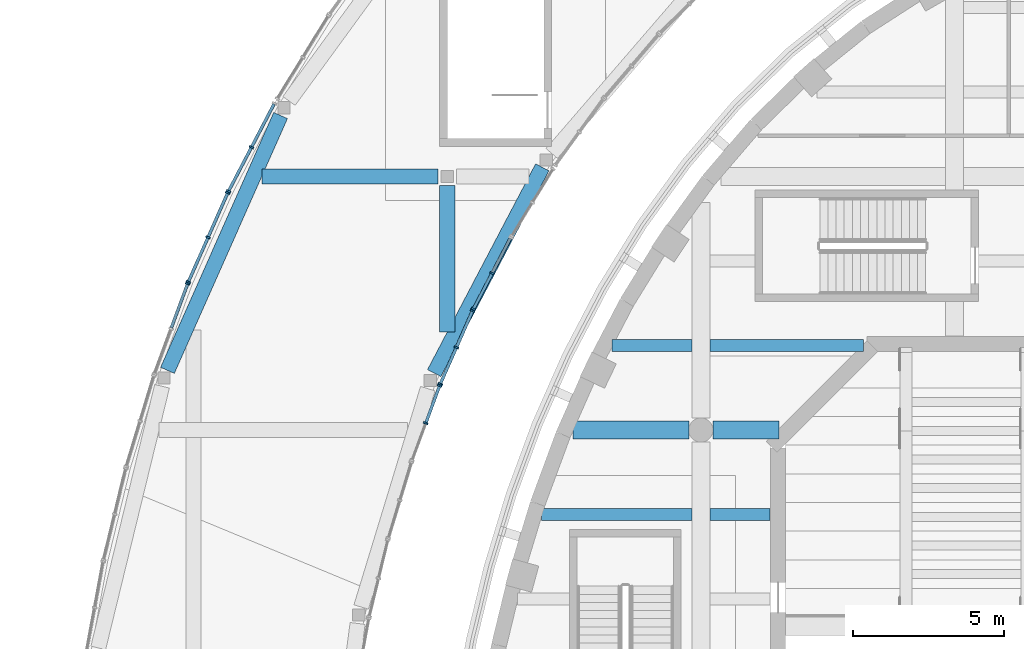
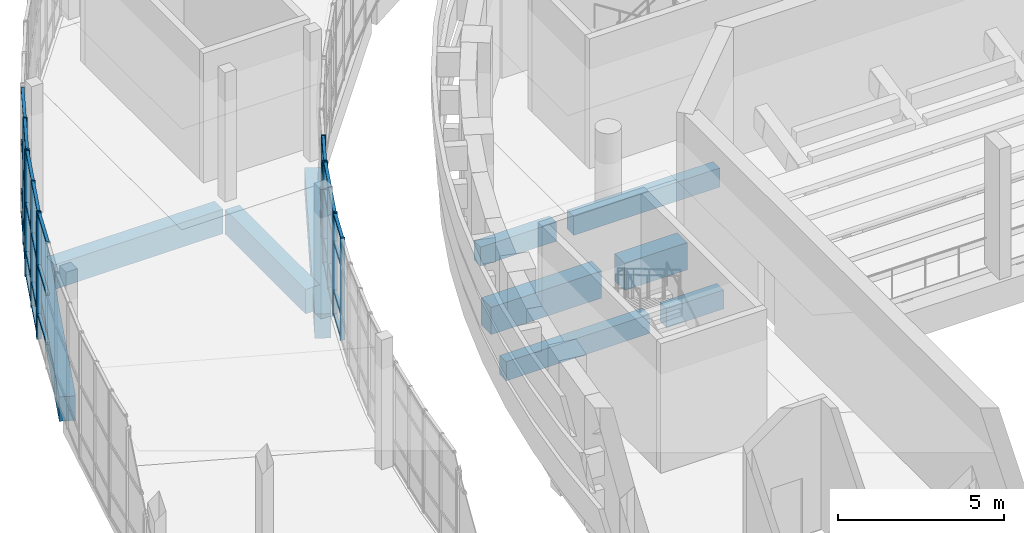
# One storey, part 17 of 103: 50 members, 10 beams, 6 elements without a shape of their own.
"""IFC4 building model written with IfcOpenShell, lengths in metres."""

from ifc_helpers import new_model, si_unit, direction, frame, origin, origin_2d, place, context, subcontext, project, spatial, rectangle, extrude, material, layer, layer_set, material_profile, profile_set, type_object, element, aggregate, save


model = new_model("IFC4")

# Units and contexts
model_context = context("Model", 3, precision=1e-05, world=origin(), true_north=direction((0.0, 1.0)))
body_context = subcontext(model_context, "Body", "Model", "MODEL_VIEW")
ifc_project = project(units=[si_unit("LENGTHUNIT", "METRE"), si_unit("AREAUNIT", "SQUARE_METRE"), si_unit("VOLUMEUNIT", "CUBIC_METRE"), si_unit("PLANEANGLEUNIT", "RADIAN"), si_unit("MASSUNIT", "GRAM", prefix="KILO")], contexts=[model_context])

# Site, building, storey
site_placement = place(None, origin())
site = spatial("IfcSite", under=ifc_project, at=site_placement, CompositionType="ELEMENT")
building_placement = place(site_placement, origin())
building = spatial("IfcBuilding", under=site, at=building_placement, Name="Larchfold Concert Hall", CompositionType="ELEMENT")
storey_placement = place(building_placement, frame((0.0, 0.0, 9.60009765625)))
storey = spatial("IfcBuildingStorey", under=building, at=storey_placement, Name="L02", CompositionType="ELEMENT", Elevation=9.60009765625)

# Curtain wall, members
ifc_material_1 = material(Name="Anodised graphite aluminium curtain wall", Category="aluminium")
ifc_layer = layer(ifc_material_1, 0.14990234375)
ifc_layer_set = layer_set([ifc_layer], Name="Anodised graphite aluminium curtain wall")
curtain_wall_type = type_object("IfcCurtainWallType", Name="Curtain wall WG", PredefinedType="NOTDEFINED", material=ifc_layer_set)
curtain_wall_1_placement = place(storey_placement, origin())
curtain_wall_1 = element("IfcCurtainWall", 1, at=curtain_wall_1_placement, inside=storey, type_object=curtain_wall_type, Name="Curtain wall CW0230", PredefinedType="NOTDEFINED")
ifc_material_2 = material(Name="Anodised graphite aluminium mullion", Category="aluminium")
ifc_material_profile_1 = material_profile(ifc_material_2, rectangle(XDim=0.14990234375, YDim=0.06005859375, at=origin_2d()))
ifc_profile_set_1 = profile_set([ifc_material_profile_1], Name="Anodised graphite aluminium mullion")
member_type_1 = type_object("IfcMemberType", Name="Aluminium mullion 60x150", PredefinedType="MULLION", material=ifc_profile_set_1)
member_1_placement = place(storey_placement, frame((16.688232421875, 101.629638671875, 0.0), z_axis=(0.0, 0.0, 1.0), x_axis=(-0.938001528432, 0.346631119, 0.0)))
member_1 = element("IfcMember", 2, at=member_1_placement, type_object=member_type_1, Name="CW0230 mullion 2", PredefinedType="MULLION", context=body_context, shape_type="SweptSolid", body=[
    extrude(rectangle(XDim=0.14990234375, YDim=0.06005859375, at=origin_2d()), origin(), (0.0, 0.0, 1.0), 3.75),
])
member_2_placement = place(storey_placement, frame((17.145751953125, 102.8681640625, 0.0), z_axis=(0.0, 0.0, 1.0), x_axis=(-0.938001528432, 0.346631119, 0.0)))
member_2 = element("IfcMember", 3, at=member_2_placement, type_object=member_type_1, Name="CW0230 mullion 3", PredefinedType="MULLION", context=body_context, shape_type="SweptSolid", body=[
    extrude(rectangle(XDim=0.14990234375, YDim=0.06005859375, at=origin_2d()), origin(), (0.0, 0.0, 1.0), 3.75),
])

curtain_wall_2_placement = place(storey_placement, origin())
curtain_wall_2 = element("IfcCurtainWall", 4, at=curtain_wall_2_placement, inside=storey, type_object=curtain_wall_type, Name="Curtain wall CW0231", PredefinedType="NOTDEFINED")
member_3_placement = place(storey_placement, frame((17.16845703125, 102.923583984375, 0.0), z_axis=(0.0, 0.0, 1.0), x_axis=(-0.914743818029, 0.404034339354, 0.0)))
member_3 = element("IfcMember", 5, at=member_3_placement, type_object=member_type_1, Name="CW0231 mullion 1", PredefinedType="MULLION", context=body_context, shape_type="SweptSolid", body=[
    extrude(rectangle(XDim=0.14990234375, YDim=0.06005859375, at=origin_2d()), origin(), (0.0, 0.0, 1.0), 3.75),
])
member_4_placement = place(storey_placement, frame((17.70458984375, 104.1376953125, 0.0), z_axis=(0.0, 0.0, 1.0), x_axis=(-0.914743818029, 0.404034339354, 0.0)))
member_4 = element("IfcMember", 6, at=member_4_placement, type_object=member_type_1, Name="CW0231 mullion 2", PredefinedType="MULLION", context=body_context, shape_type="SweptSolid", body=[
    extrude(rectangle(XDim=0.14990234375, YDim=0.06005859375, at=origin_2d()), origin(), (0.0, 0.0, 1.0), 3.75),
])
member_5_placement = place(storey_placement, frame((18.24072265625, 105.351806640625, 0.0), z_axis=(0.0, 0.0, 1.0), x_axis=(-0.914743818029, 0.404034339354, 0.0)))
member_5 = element("IfcMember", 7, at=member_5_placement, type_object=member_type_1, Name="CW0231 mullion 3", PredefinedType="MULLION", context=body_context, shape_type="SweptSolid", body=[
    extrude(rectangle(XDim=0.14990234375, YDim=0.06005859375, at=origin_2d()), origin(), (0.0, 0.0, 1.0), 3.75),
])

curtain_wall_3_placement = place(storey_placement, origin())
curtain_wall_3 = element("IfcCurtainWall", 8, at=curtain_wall_3_placement, inside=storey, type_object=curtain_wall_type, Name="Curtain wall CW0232", PredefinedType="NOTDEFINED")
member_6_placement = place(storey_placement, frame((18.266845703125, 105.40576171875, 0.0), z_axis=(0.0, 0.0, 1.0), x_axis=(-0.886259622766, 0.46318881793, 0.0)))
member_6 = element("IfcMember", 9, at=member_6_placement, type_object=member_type_1, Name="CW0232 mullion 1", PredefinedType="MULLION", context=body_context, shape_type="SweptSolid", body=[
    extrude(rectangle(XDim=0.14990234375, YDim=0.06005859375, at=origin_2d()), origin(), (0.0, 0.0, 1.0), 3.75),
])
member_7_placement = place(storey_placement, frame((18.8857421875, 106.58984375, 0.0), z_axis=(0.0, 0.0, 1.0), x_axis=(-0.886259622766, 0.46318881793, 0.0)))
member_7 = element("IfcMember", 10, at=member_7_placement, type_object=member_type_1, Name="CW0232 mullion 2", PredefinedType="MULLION", context=body_context, shape_type="SweptSolid", body=[
    extrude(rectangle(XDim=0.14990234375, YDim=0.06005859375, at=origin_2d()), origin(), (0.0, 0.0, 1.0), 3.75),
])

curtain_wall_4_placement = place(storey_placement, origin())
curtain_wall_4 = element("IfcCurtainWall", 11, at=curtain_wall_4_placement, inside=storey, type_object=curtain_wall_type, Name="Curtain wall CW0265", PredefinedType="NOTDEFINED")
member_8_placement = place(storey_placement, frame((10.9140625, 110.767578125, 0.0), z_axis=(0.0, 0.0, 1.0), x_axis=(0.886295614113, -0.463119946023, 0.0)))
member_8 = element("IfcMember", 12, at=member_8_placement, type_object=member_type_1, Name="CW0265 mullion 2", PredefinedType="MULLION", context=body_context, shape_type="SweptSolid", body=[
    extrude(rectangle(XDim=0.14990234375, YDim=0.06005859375, at=origin_2d()), origin(), (0.0, 0.0, 1.0), 4.64990234375),
])
member_9_placement = place(storey_placement, frame((10.15380859375, 109.3125, 0.0), z_axis=(0.0, 0.0, 1.0), x_axis=(0.886295614113, -0.463119946023, 0.0)))
member_9 = element("IfcMember", 13, at=member_9_placement, type_object=member_type_1, Name="CW0265 mullion 3", PredefinedType="MULLION", context=body_context, shape_type="SweptSolid", body=[
    extrude(rectangle(XDim=0.14990234375, YDim=0.06005859375, at=origin_2d()), origin(), (0.0, 0.0, 1.0), 4.64990234375),
])

curtain_wall_5_placement = place(storey_placement, origin())
curtain_wall_5 = element("IfcCurtainWall", 14, at=curtain_wall_5_placement, inside=storey, type_object=curtain_wall_type, Name="Curtain wall CW0266", PredefinedType="NOTDEFINED")
member_10_placement = place(storey_placement, frame((10.127685546875, 109.258544921875, 0.0), z_axis=(0.0, 0.0, 1.0), x_axis=(0.914703196701, -0.404126294549, 0.0)))
member_10 = element("IfcMember", 15, at=member_10_placement, type_object=member_type_1, Name="CW0266 mullion 1", PredefinedType="MULLION", context=body_context, shape_type="SweptSolid", body=[
    extrude(rectangle(XDim=0.14990234375, YDim=0.06005859375, at=origin_2d()), origin(), (0.0, 0.0, 1.0), 4.64990234375),
])
member_11_placement = place(storey_placement, frame((9.475341796875, 107.78173828125, 0.0), z_axis=(0.0, 0.0, 1.0), x_axis=(0.914703196701, -0.404126294549, 0.0)))
member_11 = element("IfcMember", 16, at=member_11_placement, type_object=member_type_1, Name="CW0266 mullion 2", PredefinedType="MULLION", context=body_context, shape_type="SweptSolid", body=[
    extrude(rectangle(XDim=0.14990234375, YDim=0.06005859375, at=origin_2d()), origin(), (0.0, 0.0, 1.0), 4.64990234375),
])
member_12_placement = place(storey_placement, frame((8.822998046875, 106.304931640625, 0.0), z_axis=(0.0, 0.0, 1.0), x_axis=(0.914703196701, -0.404126294549, 0.0)))
member_12 = element("IfcMember", 17, at=member_12_placement, type_object=member_type_1, Name="CW0266 mullion 3", PredefinedType="MULLION", context=body_context, shape_type="SweptSolid", body=[
    extrude(rectangle(XDim=0.14990234375, YDim=0.06005859375, at=origin_2d()), origin(), (0.0, 0.0, 1.0), 4.64990234375),
])

# Curtain wall, member
curtain_wall_6_placement = place(storey_placement, origin())
curtain_wall_6 = element("IfcCurtainWall", 18, at=curtain_wall_6_placement, inside=storey, type_object=curtain_wall_type, Name="Curtain wall CW0267", PredefinedType="NOTDEFINED")
member_13_placement = place(storey_placement, frame((8.80029296875, 106.24951171875, 0.0), z_axis=(0.0, 0.0, 1.0), x_axis=(0.938015232319, -0.346594033327, 0.0)))
member_13 = element("IfcMember", 19, at=member_13_placement, type_object=member_type_1, Name="CW0267 mullion 1", PredefinedType="MULLION", context=body_context, shape_type="SweptSolid", body=[
    extrude(rectangle(XDim=0.14990234375, YDim=0.06005859375, at=origin_2d()), origin(), (0.0, 0.0, 1.0), 4.64990234375),
])

# Member
ifc_material_3 = material(Name="Anodised graphite aluminium transom", Category="aluminium")
ifc_material_profile_2 = material_profile(ifc_material_3, rectangle(XDim=0.10009765625, YDim=0.080078125, at=origin_2d()))
ifc_profile_set_2 = profile_set([ifc_material_profile_2], Name="Anodised graphite aluminium transom")
member_type_2 = type_object("IfcMemberType", Name="Aluminium transom 80x100", PredefinedType="USERDEFINED", material=ifc_profile_set_2)
member_14_placement = place(storey_placement, frame((16.69873046875, 101.657958984375, 0.0400390625), z_axis=(0.346639022733, 0.937998607631, 0.0), x_axis=(-0.937998607631, 0.346639022733, 0.0)))
member_14 = element("IfcMember", 20, at=member_14_placement, type_object=member_type_2, Name="CW0230 transom 2.1", ObjectType="TRANSOM", PredefinedType="USERDEFINED", context=body_context, shape_type="SweptSolid", body=[
    extrude(rectangle(XDim=0.10009765625, YDim=0.080078125, at=origin_2d()), origin(), (0.0, 0.0, 1.0), 1.260009765625),
])

member_15_placement = place(storey_placement, frame((16.69873046875, 101.657958984375, 0.89990234375), z_axis=(0.346639022733, 0.937998607631, 0.0), x_axis=(-0.937998607631, 0.346639022733, 0.0)))
member_15 = element("IfcMember", 21, at=member_15_placement, type_object=member_type_2, Name="CW0230 transom 2.2", ObjectType="TRANSOM", PredefinedType="USERDEFINED", context=body_context, shape_type="SweptSolid", body=[
    extrude(rectangle(XDim=0.10009765625, YDim=0.080078125, at=origin_2d()), origin(), (0.0, 0.0, 1.0), 1.260009765625),
])

member_16_placement = place(storey_placement, frame((16.69873046875, 101.657958984375, 2.699951171875), z_axis=(0.346639022733, 0.937998607631, 0.0), x_axis=(-0.937998607631, 0.346639022733, 0.0)))
member_16 = element("IfcMember", 22, at=member_16_placement, type_object=member_type_2, Name="CW0230 transom 2.3", ObjectType="TRANSOM", PredefinedType="USERDEFINED", context=body_context, shape_type="SweptSolid", body=[
    extrude(rectangle(XDim=0.10009765625, YDim=0.080078125, at=origin_2d()), origin(), (0.0, 0.0, 1.0), 1.260009765625),
])

member_17_placement = place(storey_placement, frame((16.69873046875, 101.657958984375, 3.7099609375), z_axis=(0.346639022733, 0.937998607631, 0.0), x_axis=(-0.937998607631, 0.346639022733, 0.0)))
member_17 = element("IfcMember", 23, at=member_17_placement, type_object=member_type_2, Name="CW0230 transom 2.4", ObjectType="TRANSOM", PredefinedType="USERDEFINED", context=body_context, shape_type="SweptSolid", body=[
    extrude(rectangle(XDim=0.10009765625, YDim=0.080078125, at=origin_2d()), origin(), (0.0, 0.0, 1.0), 1.260009765625),
])

aggregate(curtain_wall_1, [member_1, member_2, member_14, member_15, member_16, member_17])

member_18_placement = place(storey_placement, frame((17.180419921875, 102.951171875, 0.0400390625), z_axis=(0.404010149688, 0.914754502011, 0.0), x_axis=(-0.914754502011, 0.404010149688, 0.0)))
member_18 = element("IfcMember", 24, at=member_18_placement, type_object=member_type_2, Name="CW0231 transom 1.1", ObjectType="TRANSOM", PredefinedType="USERDEFINED", context=body_context, shape_type="SweptSolid", body=[
    extrude(rectangle(XDim=0.10009765625, YDim=0.080078125, at=origin_2d()), origin(), (0.0, 0.0, 1.0), 1.26708984375),
])

member_19_placement = place(storey_placement, frame((17.180419921875, 102.951171875, 0.89990234375), z_axis=(0.404010149688, 0.914754502011, 0.0), x_axis=(-0.914754502011, 0.404010149688, 0.0)))
member_19 = element("IfcMember", 25, at=member_19_placement, type_object=member_type_2, Name="CW0231 transom 1.2", ObjectType="TRANSOM", PredefinedType="USERDEFINED", context=body_context, shape_type="SweptSolid", body=[
    extrude(rectangle(XDim=0.10009765625, YDim=0.080078125, at=origin_2d()), origin(), (0.0, 0.0, 1.0), 1.26708984375),
])

member_20_placement = place(storey_placement, frame((17.180419921875, 102.951171875, 2.699951171875), z_axis=(0.404010149688, 0.914754502011, 0.0), x_axis=(-0.914754502011, 0.404010149688, 0.0)))
member_20 = element("IfcMember", 26, at=member_20_placement, type_object=member_type_2, Name="CW0231 transom 1.3", ObjectType="TRANSOM", PredefinedType="USERDEFINED", context=body_context, shape_type="SweptSolid", body=[
    extrude(rectangle(XDim=0.10009765625, YDim=0.080078125, at=origin_2d()), origin(), (0.0, 0.0, 1.0), 1.26708984375),
])

member_21_placement = place(storey_placement, frame((17.180419921875, 102.951171875, 3.7099609375), z_axis=(0.404010149688, 0.914754502011, 0.0), x_axis=(-0.914754502011, 0.404010149688, 0.0)))
member_21 = element("IfcMember", 27, at=member_21_placement, type_object=member_type_2, Name="CW0231 transom 1.4", ObjectType="TRANSOM", PredefinedType="USERDEFINED", context=body_context, shape_type="SweptSolid", body=[
    extrude(rectangle(XDim=0.10009765625, YDim=0.080078125, at=origin_2d()), origin(), (0.0, 0.0, 1.0), 1.26708984375),
])

member_22_placement = place(storey_placement, frame((17.716796875, 104.1650390625, 0.0400390625), z_axis=(0.404010149688, 0.914754502011, 0.0), x_axis=(-0.914754502011, 0.404010149688, 0.0)))
member_22 = element("IfcMember", 28, at=member_22_placement, type_object=member_type_2, Name="CW0231 transom 2.1", ObjectType="TRANSOM", PredefinedType="USERDEFINED", context=body_context, shape_type="SweptSolid", body=[
    extrude(rectangle(XDim=0.10009765625, YDim=0.080078125, at=origin_2d()), origin(), (0.0, 0.0, 1.0), 1.26708984375),
])

member_23_placement = place(storey_placement, frame((17.716796875, 104.1650390625, 0.89990234375), z_axis=(0.404010149688, 0.914754502011, 0.0), x_axis=(-0.914754502011, 0.404010149688, 0.0)))
member_23 = element("IfcMember", 29, at=member_23_placement, type_object=member_type_2, Name="CW0231 transom 2.2", ObjectType="TRANSOM", PredefinedType="USERDEFINED", context=body_context, shape_type="SweptSolid", body=[
    extrude(rectangle(XDim=0.10009765625, YDim=0.080078125, at=origin_2d()), origin(), (0.0, 0.0, 1.0), 1.26708984375),
])

member_24_placement = place(storey_placement, frame((17.716796875, 104.1650390625, 2.699951171875), z_axis=(0.404010149688, 0.914754502011, 0.0), x_axis=(-0.914754502011, 0.404010149688, 0.0)))
member_24 = element("IfcMember", 30, at=member_24_placement, type_object=member_type_2, Name="CW0231 transom 2.3", ObjectType="TRANSOM", PredefinedType="USERDEFINED", context=body_context, shape_type="SweptSolid", body=[
    extrude(rectangle(XDim=0.10009765625, YDim=0.080078125, at=origin_2d()), origin(), (0.0, 0.0, 1.0), 1.26708984375),
])

member_25_placement = place(storey_placement, frame((17.716796875, 104.1650390625, 3.7099609375), z_axis=(0.404010149688, 0.914754502011, 0.0), x_axis=(-0.914754502011, 0.404010149688, 0.0)))
member_25 = element("IfcMember", 31, at=member_25_placement, type_object=member_type_2, Name="CW0231 transom 2.4", ObjectType="TRANSOM", PredefinedType="USERDEFINED", context=body_context, shape_type="SweptSolid", body=[
    extrude(rectangle(XDim=0.10009765625, YDim=0.080078125, at=origin_2d()), origin(), (0.0, 0.0, 1.0), 1.26708984375),
])

aggregate(curtain_wall_2, [member_3, member_4, member_5, member_18, member_19, member_20, member_21, member_22, member_23, member_24, member_25])

member_26_placement = place(storey_placement, frame((18.28076171875, 105.432373046875, 0.0400390625), z_axis=(0.463134691808, 0.886287908777, 0.0), x_axis=(-0.886287908777, 0.463134691808, 0.0)))
member_26 = element("IfcMember", 32, at=member_26_placement, type_object=member_type_2, Name="CW0232 transom 1.1", ObjectType="TRANSOM", PredefinedType="USERDEFINED", context=body_context, shape_type="SweptSolid", body=[
    extrude(rectangle(XDim=0.10009765625, YDim=0.080078125, at=origin_2d()), origin(), (0.0, 0.0, 1.0), 1.276123046875),
])

member_27_placement = place(storey_placement, frame((18.28076171875, 105.432373046875, 0.89990234375), z_axis=(0.463134691808, 0.886287908777, 0.0), x_axis=(-0.886287908777, 0.463134691808, 0.0)))
member_27 = element("IfcMember", 33, at=member_27_placement, type_object=member_type_2, Name="CW0232 transom 1.2", ObjectType="TRANSOM", PredefinedType="USERDEFINED", context=body_context, shape_type="SweptSolid", body=[
    extrude(rectangle(XDim=0.10009765625, YDim=0.080078125, at=origin_2d()), origin(), (0.0, 0.0, 1.0), 1.276123046875),
])

member_28_placement = place(storey_placement, frame((18.28076171875, 105.432373046875, 2.699951171875), z_axis=(0.463134691808, 0.886287908777, 0.0), x_axis=(-0.886287908777, 0.463134691808, 0.0)))
member_28 = element("IfcMember", 34, at=member_28_placement, type_object=member_type_2, Name="CW0232 transom 1.3", ObjectType="TRANSOM", PredefinedType="USERDEFINED", context=body_context, shape_type="SweptSolid", body=[
    extrude(rectangle(XDim=0.10009765625, YDim=0.080078125, at=origin_2d()), origin(), (0.0, 0.0, 1.0), 1.276123046875),
])

member_29_placement = place(storey_placement, frame((18.28076171875, 105.432373046875, 3.7099609375), z_axis=(0.463134691808, 0.886287908777, 0.0), x_axis=(-0.886287908777, 0.463134691808, 0.0)))
member_29 = element("IfcMember", 35, at=member_29_placement, type_object=member_type_2, Name="CW0232 transom 1.4", ObjectType="TRANSOM", PredefinedType="USERDEFINED", context=body_context, shape_type="SweptSolid", body=[
    extrude(rectangle(XDim=0.10009765625, YDim=0.080078125, at=origin_2d()), origin(), (0.0, 0.0, 1.0), 1.276123046875),
])

member_30_placement = place(storey_placement, frame((18.899658203125, 106.616455078125, 0.0400390625), z_axis=(0.463134691808, 0.886287908777, 0.0), x_axis=(-0.886287908777, 0.463134691808, 0.0)))
member_30 = element("IfcMember", 36, at=member_30_placement, type_object=member_type_2, Name="CW0232 transom 2.1", ObjectType="TRANSOM", PredefinedType="USERDEFINED", context=body_context, shape_type="SweptSolid", body=[
    extrude(rectangle(XDim=0.10009765625, YDim=0.080078125, at=origin_2d()), origin(), (0.0, 0.0, 1.0), 1.276123046875),
])

member_31_placement = place(storey_placement, frame((18.899658203125, 106.616455078125, 0.89990234375), z_axis=(0.463134691808, 0.886287908777, 0.0), x_axis=(-0.886287908777, 0.463134691808, 0.0)))
member_31 = element("IfcMember", 37, at=member_31_placement, type_object=member_type_2, Name="CW0232 transom 2.2", ObjectType="TRANSOM", PredefinedType="USERDEFINED", context=body_context, shape_type="SweptSolid", body=[
    extrude(rectangle(XDim=0.10009765625, YDim=0.080078125, at=origin_2d()), origin(), (0.0, 0.0, 1.0), 1.276123046875),
])

aggregate(curtain_wall_3, [member_6, member_7, member_26, member_27, member_28, member_29, member_30, member_31])

member_32_placement = place(storey_placement, frame((11.660400390625, 112.19580078125, 0.0400390625), z_axis=(-0.463072352112, -0.886320481942, 0.0), x_axis=(0.886320481942, -0.463072352112, 0.0)))
member_32 = element("IfcMember", 38, at=member_32_placement, type_object=member_type_2, Name="CW0265 transom 1.1", ObjectType="TRANSOM", PredefinedType="USERDEFINED", context=body_context, shape_type="SweptSolid", body=[
    extrude(rectangle(XDim=0.10009765625, YDim=0.080078125, at=origin_2d()), origin(), (0.0, 0.0, 1.0), 1.58154296875),
])

member_33_placement = place(storey_placement, frame((11.660400390625, 112.19580078125, 0.89990234375), z_axis=(-0.463072352112, -0.886320481942, 0.0), x_axis=(0.886320481942, -0.463072352112, 0.0)))
member_33 = element("IfcMember", 39, at=member_33_placement, type_object=member_type_2, Name="CW0265 transom 1.2", ObjectType="TRANSOM", PredefinedType="USERDEFINED", context=body_context, shape_type="SweptSolid", body=[
    extrude(rectangle(XDim=0.10009765625, YDim=0.080078125, at=origin_2d()), origin(), (0.0, 0.0, 1.0), 1.58154296875),
])

member_34_placement = place(storey_placement, frame((11.660400390625, 112.19580078125, 2.699951171875), z_axis=(-0.463072352112, -0.886320481942, 0.0), x_axis=(0.886320481942, -0.463072352112, 0.0)))
member_34 = element("IfcMember", 40, at=member_34_placement, type_object=member_type_2, Name="CW0265 transom 1.3", ObjectType="TRANSOM", PredefinedType="USERDEFINED", context=body_context, shape_type="SweptSolid", body=[
    extrude(rectangle(XDim=0.10009765625, YDim=0.080078125, at=origin_2d()), origin(), (0.0, 0.0, 1.0), 1.58154296875),
])

member_35_placement = place(storey_placement, frame((11.660400390625, 112.19580078125, 4.60986328125), z_axis=(-0.463072352112, -0.886320481942, 0.0), x_axis=(0.886320481942, -0.463072352112, 0.0)))
member_35 = element("IfcMember", 41, at=member_35_placement, type_object=member_type_2, Name="CW0265 transom 1.4", ObjectType="TRANSOM", PredefinedType="USERDEFINED", context=body_context, shape_type="SweptSolid", body=[
    extrude(rectangle(XDim=0.10009765625, YDim=0.080078125, at=origin_2d()), origin(), (0.0, 0.0, 1.0), 1.58154296875),
])

member_36_placement = place(storey_placement, frame((10.900146484375, 110.740966796875, 0.0400390625), z_axis=(-0.463072352112, -0.886320481942, 0.0), x_axis=(0.886320481942, -0.463072352112, 0.0)))
member_36 = element("IfcMember", 42, at=member_36_placement, type_object=member_type_2, Name="CW0265 transom 2.1", ObjectType="TRANSOM", PredefinedType="USERDEFINED", context=body_context, shape_type="SweptSolid", body=[
    extrude(rectangle(XDim=0.10009765625, YDim=0.080078125, at=origin_2d()), origin(), (0.0, 0.0, 1.0), 1.58154296875),
])

member_37_placement = place(storey_placement, frame((10.900146484375, 110.740966796875, 0.89990234375), z_axis=(-0.463072352112, -0.886320481942, 0.0), x_axis=(0.886320481942, -0.463072352112, 0.0)))
member_37 = element("IfcMember", 43, at=member_37_placement, type_object=member_type_2, Name="CW0265 transom 2.2", ObjectType="TRANSOM", PredefinedType="USERDEFINED", context=body_context, shape_type="SweptSolid", body=[
    extrude(rectangle(XDim=0.10009765625, YDim=0.080078125, at=origin_2d()), origin(), (0.0, 0.0, 1.0), 1.58154296875),
])

member_38_placement = place(storey_placement, frame((10.900146484375, 110.740966796875, 2.699951171875), z_axis=(-0.463072352112, -0.886320481942, 0.0), x_axis=(0.886320481942, -0.463072352112, 0.0)))
member_38 = element("IfcMember", 44, at=member_38_placement, type_object=member_type_2, Name="CW0265 transom 2.3", ObjectType="TRANSOM", PredefinedType="USERDEFINED", context=body_context, shape_type="SweptSolid", body=[
    extrude(rectangle(XDim=0.10009765625, YDim=0.080078125, at=origin_2d()), origin(), (0.0, 0.0, 1.0), 1.58154296875),
])

member_39_placement = place(storey_placement, frame((10.900146484375, 110.740966796875, 4.60986328125), z_axis=(-0.463072352112, -0.886320481942, 0.0), x_axis=(0.886320481942, -0.463072352112, 0.0)))
member_39 = element("IfcMember", 45, at=member_39_placement, type_object=member_type_2, Name="CW0265 transom 2.4", ObjectType="TRANSOM", PredefinedType="USERDEFINED", context=body_context, shape_type="SweptSolid", body=[
    extrude(rectangle(XDim=0.10009765625, YDim=0.080078125, at=origin_2d()), origin(), (0.0, 0.0, 1.0), 1.58154296875),
])

aggregate(curtain_wall_4, [member_8, member_9, member_32, member_33, member_34, member_35, member_36, member_37, member_38, member_39])

member_40_placement = place(storey_placement, frame((10.11572265625, 109.23095703125, 0.0400390625), z_axis=(-0.404111897501, -0.914709557345, 0.0), x_axis=(0.914709557345, -0.404111897501, 0.0)))
member_40 = element("IfcMember", 46, at=member_40_placement, type_object=member_type_2, Name="CW0266 transom 1.1", ObjectType="TRANSOM", PredefinedType="USERDEFINED", context=body_context, shape_type="SweptSolid", body=[
    extrude(rectangle(XDim=0.10009765625, YDim=0.080078125, at=origin_2d()), origin(), (0.0, 0.0, 1.0), 1.554443359375),
])

member_41_placement = place(storey_placement, frame((10.11572265625, 109.23095703125, 0.89990234375), z_axis=(-0.404111897501, -0.914709557345, 0.0), x_axis=(0.914709557345, -0.404111897501, 0.0)))
member_41 = element("IfcMember", 47, at=member_41_placement, type_object=member_type_2, Name="CW0266 transom 1.2", ObjectType="TRANSOM", PredefinedType="USERDEFINED", context=body_context, shape_type="SweptSolid", body=[
    extrude(rectangle(XDim=0.10009765625, YDim=0.080078125, at=origin_2d()), origin(), (0.0, 0.0, 1.0), 1.554443359375),
])

member_42_placement = place(storey_placement, frame((10.11572265625, 109.23095703125, 2.699951171875), z_axis=(-0.404111897501, -0.914709557345, 0.0), x_axis=(0.914709557345, -0.404111897501, 0.0)))
member_42 = element("IfcMember", 48, at=member_42_placement, type_object=member_type_2, Name="CW0266 transom 1.3", ObjectType="TRANSOM", PredefinedType="USERDEFINED", context=body_context, shape_type="SweptSolid", body=[
    extrude(rectangle(XDim=0.10009765625, YDim=0.080078125, at=origin_2d()), origin(), (0.0, 0.0, 1.0), 1.554443359375),
])

member_43_placement = place(storey_placement, frame((10.11572265625, 109.23095703125, 4.60986328125), z_axis=(-0.404111897501, -0.914709557345, 0.0), x_axis=(0.914709557345, -0.404111897501, 0.0)))
member_43 = element("IfcMember", 49, at=member_43_placement, type_object=member_type_2, Name="CW0266 transom 1.4", ObjectType="TRANSOM", PredefinedType="USERDEFINED", context=body_context, shape_type="SweptSolid", body=[
    extrude(rectangle(XDim=0.10009765625, YDim=0.080078125, at=origin_2d()), origin(), (0.0, 0.0, 1.0), 1.554443359375),
])

member_44_placement = place(storey_placement, frame((9.463134765625, 107.75439453125, 0.0400390625), z_axis=(-0.404111897501, -0.914709557345, 0.0), x_axis=(0.914709557345, -0.404111897501, 0.0)))
member_44 = element("IfcMember", 50, at=member_44_placement, type_object=member_type_2, Name="CW0266 transom 2.1", ObjectType="TRANSOM", PredefinedType="USERDEFINED", context=body_context, shape_type="SweptSolid", body=[
    extrude(rectangle(XDim=0.10009765625, YDim=0.080078125, at=origin_2d()), origin(), (0.0, 0.0, 1.0), 1.554443359375),
])

member_45_placement = place(storey_placement, frame((9.463134765625, 107.75439453125, 0.89990234375), z_axis=(-0.404111897501, -0.914709557345, 0.0), x_axis=(0.914709557345, -0.404111897501, 0.0)))
member_45 = element("IfcMember", 51, at=member_45_placement, type_object=member_type_2, Name="CW0266 transom 2.2", ObjectType="TRANSOM", PredefinedType="USERDEFINED", context=body_context, shape_type="SweptSolid", body=[
    extrude(rectangle(XDim=0.10009765625, YDim=0.080078125, at=origin_2d()), origin(), (0.0, 0.0, 1.0), 1.554443359375),
])

member_46_placement = place(storey_placement, frame((9.463134765625, 107.75439453125, 2.699951171875), z_axis=(-0.404111897501, -0.914709557345, 0.0), x_axis=(0.914709557345, -0.404111897501, 0.0)))
member_46 = element("IfcMember", 52, at=member_46_placement, type_object=member_type_2, Name="CW0266 transom 2.3", ObjectType="TRANSOM", PredefinedType="USERDEFINED", context=body_context, shape_type="SweptSolid", body=[
    extrude(rectangle(XDim=0.10009765625, YDim=0.080078125, at=origin_2d()), origin(), (0.0, 0.0, 1.0), 1.554443359375),
])

member_47_placement = place(storey_placement, frame((9.463134765625, 107.75439453125, 4.60986328125), z_axis=(-0.404111897501, -0.914709557345, 0.0), x_axis=(0.914709557345, -0.404111897501, 0.0)))
member_47 = element("IfcMember", 53, at=member_47_placement, type_object=member_type_2, Name="CW0266 transom 2.4", ObjectType="TRANSOM", PredefinedType="USERDEFINED", context=body_context, shape_type="SweptSolid", body=[
    extrude(rectangle(XDim=0.10009765625, YDim=0.080078125, at=origin_2d()), origin(), (0.0, 0.0, 1.0), 1.554443359375),
])

aggregate(curtain_wall_5, [member_10, member_11, member_12, member_40, member_41, member_42, member_43, member_44, member_45, member_46, member_47])

member_48_placement = place(storey_placement, frame((8.7900390625, 106.22119140625, 0.89990234375), z_axis=(-0.34659834875, -0.938013637771, 0.0), x_axis=(0.938013637771, -0.34659834875, 0.0)))
member_48 = element("IfcMember", 54, at=member_48_placement, type_object=member_type_2, Name="CW0267 transom 1.2", ObjectType="TRANSOM", PredefinedType="USERDEFINED", context=body_context, shape_type="SweptSolid", body=[
    extrude(rectangle(XDim=0.10009765625, YDim=0.080078125, at=origin_2d()), origin(), (0.0, 0.0, 1.0), 1.53271484375),
])

member_49_placement = place(storey_placement, frame((8.7900390625, 106.22119140625, 2.699951171875), z_axis=(-0.34659834875, -0.938013637771, 0.0), x_axis=(0.938013637771, -0.34659834875, 0.0)))
member_49 = element("IfcMember", 55, at=member_49_placement, type_object=member_type_2, Name="CW0267 transom 1.3", ObjectType="TRANSOM", PredefinedType="USERDEFINED", context=body_context, shape_type="SweptSolid", body=[
    extrude(rectangle(XDim=0.10009765625, YDim=0.080078125, at=origin_2d()), origin(), (0.0, 0.0, 1.0), 1.53271484375),
])

member_50_placement = place(storey_placement, frame((8.7900390625, 106.22119140625, 4.60986328125), z_axis=(-0.34659834875, -0.938013637771, 0.0), x_axis=(0.938013637771, -0.34659834875, 0.0)))
member_50 = element("IfcMember", 56, at=member_50_placement, type_object=member_type_2, Name="CW0267 transom 1.4", ObjectType="TRANSOM", PredefinedType="USERDEFINED", context=body_context, shape_type="SweptSolid", body=[
    extrude(rectangle(XDim=0.10009765625, YDim=0.080078125, at=origin_2d()), origin(), (0.0, 0.0, 1.0), 1.53271484375),
])

aggregate(curtain_wall_6, [member_13, member_48, member_49, member_50])

# Beams
ifc_material_4 = material(Name="Concrete C35/45", Category="concrete")
ifc_material_profile_3 = material_profile(ifc_material_4, rectangle(XDim=0.39990234375, YDim=0.699951171875, at=origin_2d()))
ifc_profile_set_3 = profile_set([ifc_material_profile_3], Name="Concrete C35/45")
beam_type_1 = type_object("IfcBeamType", Name="Beam RC 400x700", PredefinedType="BEAM", material=ifc_profile_set_3)
beam_1_placement = place(storey_placement, frame((20.523681640625, 98.60009765625, -0.550048828125), z_axis=(1.0, 0.0, 0.0), x_axis=(0.0, 1.0, 0.0)))
element("IfcBeam", 57, at=beam_1_placement, inside=storey, type_object=beam_type_1, Name="Beam B1333", PredefinedType="BEAM", context=body_context, shape_type="SweptSolid", body=[
    extrude(rectangle(XDim=0.39990234375, YDim=0.699951171875, at=origin_2d()), origin(), (0.0, 0.0, 1.0), 4.976318359375),
])
beam_2_placement = place(storey_placement, frame((26.10009765625, 98.60009765625, -0.550048828125), z_axis=(1.0, 0.0, 0.0), x_axis=(0.0, 1.0, 0.0)))
element("IfcBeam", 58, at=beam_2_placement, inside=storey, type_object=beam_type_1, Name="Beam B1334", PredefinedType="BEAM", context=body_context, shape_type="SweptSolid", body=[
    extrude(rectangle(XDim=0.39990234375, YDim=0.699951171875, at=origin_2d()), origin(), (0.0, 0.0, 1.0), 1.989990234375),
])
beam_3_placement = place(storey_placement, frame((22.86083984375, 104.199951171875, -0.550048828125), z_axis=(1.0, 0.0, 0.0), x_axis=(0.0, 1.0, 0.0)))
element("IfcBeam", 59, at=beam_3_placement, inside=storey, type_object=beam_type_1, Name="Beam B1337", PredefinedType="BEAM", context=body_context, shape_type="SweptSolid", body=[
    extrude(rectangle(XDim=0.39990234375, YDim=0.699951171875, at=origin_2d()), origin(), (0.0, 0.0, 1.0), 2.63916015625),
])
beam_4_placement = place(storey_placement, frame((26.10009765625, 104.199951171875, -0.550048828125), z_axis=(1.0, 0.0, 0.0), x_axis=(0.0, 1.0, 0.0)))
element("IfcBeam", 60, at=beam_4_placement, inside=storey, type_object=beam_type_1, Name="Beam B1338", PredefinedType="BEAM", context=body_context, shape_type="SweptSolid", body=[
    extrude(rectangle(XDim=0.39990234375, YDim=0.699951171875, at=origin_2d()), origin(), (0.0, 0.0, 1.0), 5.085693359375),
])
ifc_material_5 = material(Name="Concrete C35/45", Category="concrete")
ifc_material_profile_4 = material_profile(ifc_material_5, rectangle(XDim=0.5, YDim=0.89990234375, at=origin_2d()))
ifc_profile_set_4 = profile_set([ifc_material_profile_4], Name="Concrete C35/45")
beam_type_2 = type_object("IfcBeamType", Name="Beam RC 500x900", PredefinedType="BEAM", material=ifc_profile_set_4)
beam_5_placement = place(storey_placement, frame((8.131591796875, 103.376953125, -0.60009765625), z_axis=(0.405714193235, 0.913999996394, 0.0), x_axis=(-0.913999996394, 0.405714193235, 0.0)))
element("IfcBeam", 61, at=beam_5_placement, inside=storey, type_object=beam_type_2, Name="Beam B1944", PredefinedType="BEAM", context=body_context, shape_type="SweptSolid", body=[
    extrude(rectangle(XDim=0.5, YDim=0.89990234375, at=origin_2d()), origin(), (0.0, 0.0, 1.0), 9.237548828125),
])
beam_6_placement = place(storey_placement, frame((20.5478515625, 110.10302734375, -0.60009765625), z_axis=(-0.46509297628, -0.885261838901, 0.0), x_axis=(0.885261838901, -0.46509297628, 0.0)))
element("IfcBeam", 62, at=beam_6_placement, inside=storey, type_object=beam_type_2, Name="Beam B1955", PredefinedType="BEAM", context=body_context, shape_type="SweptSolid", body=[
    extrude(rectangle(XDim=0.5, YDim=0.89990234375, at=origin_2d()), origin(), (0.0, 0.0, 1.0), 7.70068359375),
])
beam_7_placement = place(storey_placement, frame((17.39990234375, 104.649169921875, -0.60009765625), z_axis=(0.0, 1.0, 0.0), x_axis=(-1.0, 0.0, 0.0)))
element("IfcBeam", 63, at=beam_7_placement, inside=storey, type_object=beam_type_2, Name="Beam B1969", PredefinedType="BEAM", context=body_context, shape_type="SweptSolid", body=[
    extrude(rectangle(XDim=0.5, YDim=0.89990234375, at=origin_2d()), origin(), (0.0, 0.0, 1.0), 4.85205078125),
])
beam_8_placement = place(storey_placement, frame((11.25634765625, 109.800048828125, -0.60009765625), z_axis=(1.0, 0.0, 0.0), x_axis=(0.0, 1.0, 0.0)))
element("IfcBeam", 64, at=beam_8_placement, inside=storey, type_object=beam_type_2, Name="Beam B1996", PredefinedType="BEAM", context=body_context, shape_type="SweptSolid", body=[
    extrude(rectangle(XDim=0.5, YDim=0.89990234375, at=origin_2d()), origin(), (0.0, 0.0, 1.0), 5.844970703125),
])
ifc_material_6 = material(Name="Concrete C35/45", Category="concrete")
ifc_material_profile_5 = material_profile(ifc_material_6, rectangle(XDim=0.60009765625, YDim=1.0, at=origin_2d()))
ifc_profile_set_5 = profile_set([ifc_material_profile_5], Name="Concrete C35/45")
beam_type_3 = type_object("IfcBeamType", Name="Beam RC 600x1000", PredefinedType="BEAM", material=ifc_profile_set_5)
beam_9_placement = place(storey_placement, frame((21.556884765625, 101.39990234375, -0.7001953125), z_axis=(1.0, 0.0, 0.0), x_axis=(0.0, 1.0, 0.0)))
element("IfcBeam", 65, at=beam_9_placement, inside=storey, type_object=beam_type_3, Name="Beam B1295", PredefinedType="BEAM", context=body_context, shape_type="SweptSolid", body=[
    extrude(rectangle(XDim=0.60009765625, YDim=1.0, at=origin_2d()), origin(), (0.0, 0.0, 1.0), 3.8447265625),
])
beam_10_placement = place(storey_placement, frame((26.1982421875, 101.39990234375, -0.7001953125), z_axis=(1.0, 0.0, 0.0), x_axis=(0.0, 1.0, 0.0)))
element("IfcBeam", 66, at=beam_10_placement, inside=storey, type_object=beam_type_3, Name="Beam B1296", PredefinedType="BEAM", context=body_context, shape_type="SweptSolid", body=[
    extrude(rectangle(XDim=0.60009765625, YDim=1.0, at=origin_2d()), origin(), (0.0, 0.0, 1.0), 2.1875),
])

save(model, "model.ifc")
